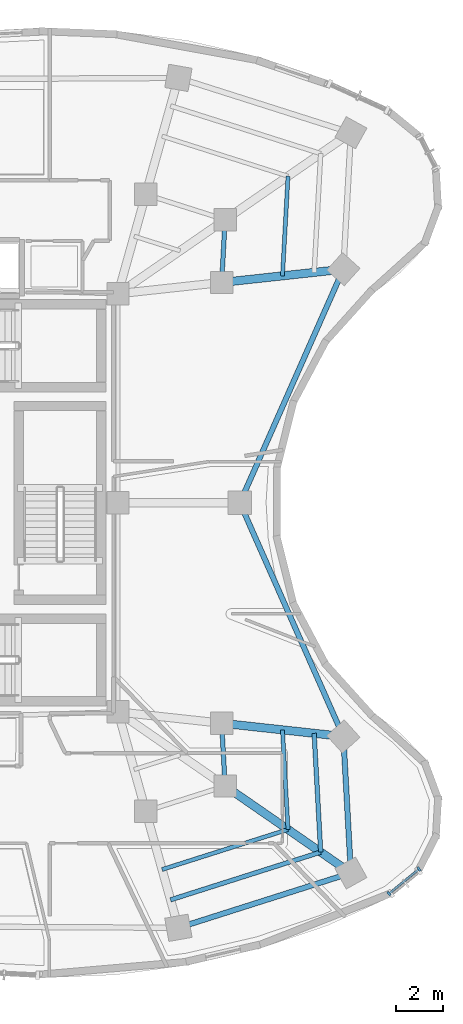
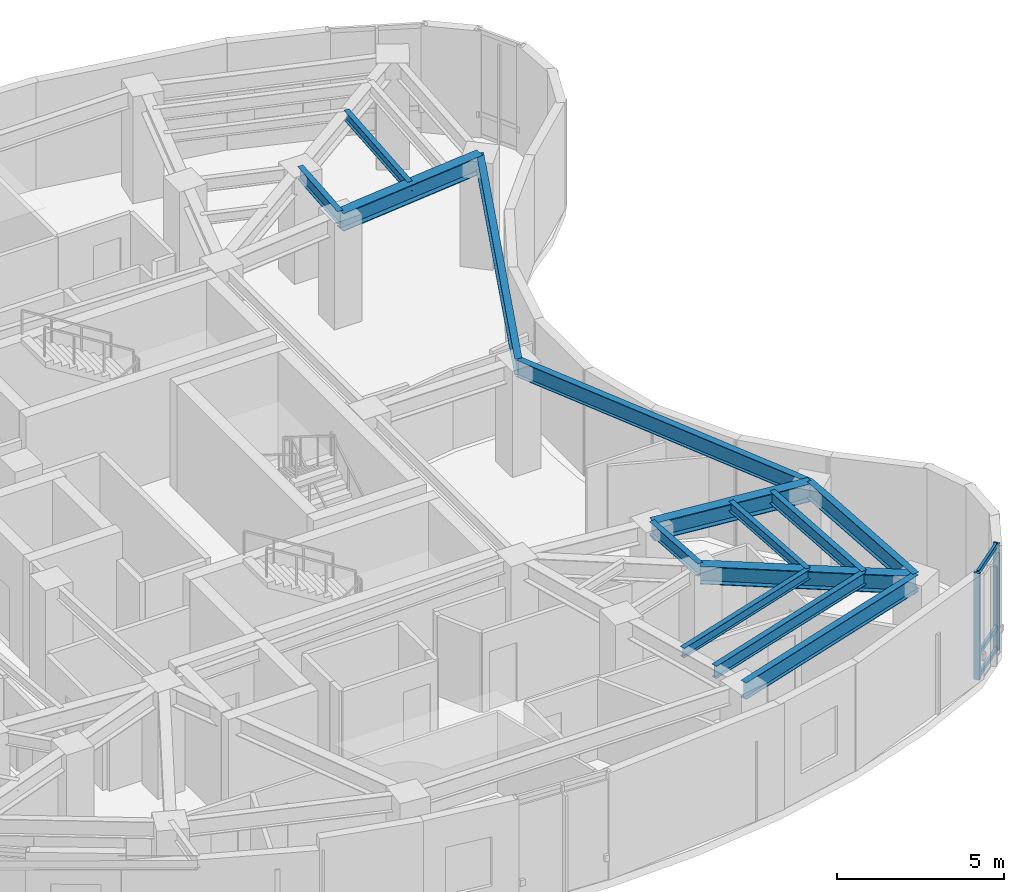
# One storey, part 4 of 13: 14 beams, 5 members, 1 element without a shape of its own.
"""IFC4 building model written with IfcOpenShell, lengths in metres."""

from ifc_helpers import new_model, si_unit, direction, frame, origin, origin_2d, place, context, subcontext, project, spatial, rectangle, i_section, extrude, material, layer, layer_set, material_profile, profile_set, type_object, element, aggregate, save


model = new_model("IFC4")

# Units and contexts
model_context = context("Model", 3, precision=1e-05, world=origin(), true_north=direction((0.0, 1.0)))
body_context = subcontext(model_context, "Body", "Model", "MODEL_VIEW")
ifc_project = project(units=[si_unit("LENGTHUNIT", "METRE"), si_unit("AREAUNIT", "SQUARE_METRE"), si_unit("VOLUMEUNIT", "CUBIC_METRE"), si_unit("PLANEANGLEUNIT", "RADIAN"), si_unit("MASSUNIT", "GRAM", prefix="KILO")], contexts=[model_context])

# Site, building, storey
site_placement = place(None, origin())
site = spatial("IfcSite", under=ifc_project, at=site_placement, CompositionType="ELEMENT")
building_placement = place(site_placement, origin())
building = spatial("IfcBuilding", under=site, at=building_placement, Name="Korentha Bioscience Tower", CompositionType="ELEMENT")
storey_placement = place(building_placement, frame((0.0, 0.0, 200.39990234375)))
storey = spatial("IfcBuildingStorey", under=building, at=storey_placement, Name="L46", CompositionType="ELEMENT", Elevation=200.39990234375)

# Beams
ifc_material_1 = material(Name="Steel S355", Category="steel")
ifc_material_profile_1 = material_profile(ifc_material_1, i_section(OverallWidth=0.18994140625, OverallDepth=0.45703125, WebThickness=0.009033203125, FlangeThickness=0.014404296875, at=origin_2d()), Name="Steel S355")
ifc_profile_set_1 = profile_set([ifc_material_profile_1], Name="Steel S355 (MB-460)")
beam_type_1 = type_object("IfcBeamType", Name="Mid-Ring Tie Girder W460x74", PredefinedType="BEAM", material=ifc_profile_set_1)
for number, where, z_axis, x_axis, name in (
    (1, (42.084228515625, 15.014404296875, 3.671630859375), (-0.055124579287, 0.998479484395, 0.0), (-0.998479484395, -0.055124579287, 0.0), "L46 Mid-Ring Tie Girder 13"),
    (2, (41.9375, 36.327880859375, 3.671630859375), (0.055124579287, 0.998479484395, 0.0), (-0.998479484395, 0.055124579287, 0.0), "L46 Mid-Ring Tie Girder 16"),
):
    element("IfcBeam", number, at=place(storey_placement, frame(where, z_axis=z_axis, x_axis=x_axis)), inside=storey, type_object=beam_type_1, Name=name, PredefinedType="BEAM", context=body_context, shape_type="SweptSolid", body=[
        extrude(i_section(OverallWidth=0.18994140625, OverallDepth=0.45703125, WebThickness=0.009033203125, FlangeThickness=0.014404296875, at=origin_2d()), origin(), (0.0, 0.0, 1.0), 2.661865234375),
    ])

# Curtain wall, members
ifc_material_2 = material(Name="Thermally Broken Aluminium Frame", Category="aluminium")
ifc_layer = layer(ifc_material_2, 0.219970703125, Name="Thermally Broken Aluminium Frame")
ifc_layer_set = layer_set([ifc_layer], Name="Thermally Broken Aluminium Frame (CW-T2)")
curtain_wall_type = type_object("IfcCurtainWallType", Name="Solar-Screened Lab Unitised Curtain Wall CW-T2", PredefinedType="USERDEFINED", material=ifc_layer_set)
curtain_wall_placement = place(storey_placement, origin())
curtain_wall = element("IfcCurtainWall", 3, at=curtain_wall_placement, inside=storey, type_object=curtain_wall_type, Name="L46 Curtain Wall 37", ObjectType="UNITISED", PredefinedType="USERDEFINED")
ifc_material_3 = material(Name="Anodised Aluminium 6063-T6", Category="aluminium")
ifc_material_profile_2 = material_profile(ifc_material_3, rectangle(XDim=0.090087890625, YDim=0.199951171875, at=origin_2d()), Name="Anodised Aluminium 6063-T6")
ifc_profile_set_2 = profile_set([ifc_material_profile_2], Name="Anodised Aluminium 6063-T6 (CW-MUL)")
member_type_1 = type_object("IfcMemberType", Name="Mullion RECT 90x200", PredefinedType="MULLION", material=ifc_profile_set_2)
member_1_placement = place(storey_placement, frame((49.01806640625, 10.45751953125, 0.0), z_axis=(0.0, 0.0, 1.0), x_axis=(0.774088224596, 0.633077736571, 0.0)))
member_1 = element("IfcMember", 4, at=member_1_placement, type_object=member_type_1, Name="CW-L46-37 Mullion 1", PredefinedType="MULLION", context=body_context, shape_type="SweptSolid", body=[
    extrude(rectangle(XDim=0.090087890625, YDim=0.199951171875, at=origin_2d()), origin(), (0.0, 0.0, 1.0), 3.900146484375),
])
member_2_placement = place(storey_placement, frame((50.291748046875, 11.4990234375, 0.0), z_axis=(0.0, 0.0, 1.0), x_axis=(0.774088224596, 0.633077736571, 0.0)))
member_2 = element("IfcMember", 5, at=member_2_placement, type_object=member_type_1, Name="CW-L46-37 Mullion 2", PredefinedType="MULLION", context=body_context, shape_type="SweptSolid", body=[
    extrude(rectangle(XDim=0.090087890625, YDim=0.199951171875, at=origin_2d()), origin(), (0.0, 0.0, 1.0), 3.900146484375),
])

# Beams
ifc_material_profile_3 = material_profile(ifc_material_1, i_section(OverallWidth=0.22802734375, OverallDepth=0.60791015625, WebThickness=0.01123046875, FlangeThickness=0.017333984375, at=origin_2d()), Name="Steel S355")
ifc_profile_set_3 = profile_set([ifc_material_profile_3], Name="Steel S355 (SB-610)")
beam_type_2 = type_object("IfcBeamType", Name="Perimeter Ring Spandrel Girder W610x113", PredefinedType="SPANDREL", material=ifc_profile_set_3)
beam_1_placement = place(storey_placement, frame((40.106689453125, 9.012939453125, 3.59619140625), z_axis=(0.953001929023, 0.30296422772, 0.0), x_axis=(-0.30296422772, 0.953001929023, 0.0)))
element("IfcBeam", 6, at=beam_1_placement, inside=storey, type_object=beam_type_2, Name="L46 Perimeter Spandrel Girder 12", PredefinedType="SPANDREL", context=body_context, shape_type="SweptSolid", body=[
    extrude(i_section(OverallWidth=0.22802734375, OverallDepth=0.60791015625, WebThickness=0.01123046875, FlangeThickness=0.017333984375, at=origin_2d()), origin(), (0.0, 0.0, 1.0), 7.660400390625),
])
beam_2_placement = place(storey_placement, frame((47.406982421875, 11.333740234375, 3.59619140625), z_axis=(-0.055107780824, 0.998480411672, 0.0), x_axis=(-0.998480411672, -0.055107780824, 0.0)))
element("IfcBeam", 7, at=beam_2_placement, inside=storey, type_object=beam_type_2, Name="L46 Perimeter Spandrel Girder 13", PredefinedType="SPANDREL", context=body_context, shape_type="SweptSolid", body=[
    extrude(i_section(OverallWidth=0.22802734375, OverallDepth=0.60791015625, WebThickness=0.01123046875, FlangeThickness=0.017333984375, at=origin_2d()), origin(), (0.0, 0.0, 1.0), 5.785888671875),
])
for number, where, z_axis, x_axis, name in (
    (8, (47.088134765625, 17.11083984375, 3.59619140625), (-0.40490027623, 0.914360851256, 0.0), (-0.914360851256, -0.40490027623, 0.0), "L46 Perimeter Spandrel Girder 14"),
    (9, (42.708984375, 27.0, 3.59619140625), (0.40490027623, 0.914360851256, 0.0), (-0.914360851256, 0.40490027623, 0.0), "L46 Perimeter Spandrel Girder 15"),
):
    element("IfcBeam", number, at=place(storey_placement, frame(where, z_axis=z_axis, x_axis=x_axis)), inside=storey, type_object=beam_type_2, Name=name, PredefinedType="SPANDREL", context=body_context, shape_type="SweptSolid", body=[
        extrude(i_section(OverallWidth=0.22802734375, OverallDepth=0.60791015625, WebThickness=0.01123046875, FlangeThickness=0.017333984375, at=origin_2d()), origin(), (0.0, 0.0, 1.0), 10.8154296875),
    ])
ifc_material_profile_4 = material_profile(ifc_material_1, i_section(OverallWidth=0.18994140625, OverallDepth=0.45703125, WebThickness=0.009033203125, FlangeThickness=0.014404296875, at=origin_2d()), Name="Steel S355")
ifc_profile_set_4 = profile_set([ifc_material_profile_4], Name="Steel S355 (RB-460)")
beam_type_3 = type_object("IfcBeamType", Name="Radial Laboratory Beam W460x74", PredefinedType="BEAM", material=ifc_profile_set_4)
beam_3_placement = place(storey_placement, frame((39.775390625, 10.197265625, 3.671630859375), z_axis=(0.953010382505, 0.302937635229, 0.0), x_axis=(-0.302937635229, 0.953010382505, 0.0)))
element("IfcBeam", 10, at=beam_3_placement, inside=storey, type_object=beam_type_3, Name="L46 Secondary Floor Beam JSTO-12", PredefinedType="BEAM", context=body_context, shape_type="SweptSolid", body=[
    extrude(i_section(OverallWidth=0.18994140625, OverallDepth=0.45703125, WebThickness=0.009033203125, FlangeThickness=0.014404296875, at=origin_2d()), origin(), (0.0, 0.0, 1.0), 6.667236328125),
])
beam_4_placement = place(storey_placement, frame((46.12939453125, 12.217041015625, 3.671630859375), z_axis=(-0.055069967357, 0.998482497941, 0.0), x_axis=(-0.998482497941, -0.055069967357, 0.0)))
element("IfcBeam", 11, at=beam_4_placement, inside=storey, type_object=beam_type_3, Name="L46 Secondary Floor Beam JSTO-13", PredefinedType="BEAM", context=body_context, shape_type="SweptSolid", body=[
    extrude(i_section(OverallWidth=0.18994140625, OverallDepth=0.45703125, WebThickness=0.009033203125, FlangeThickness=0.014404296875, at=origin_2d()), origin(), (0.0, 0.0, 1.0), 5.0361328125),
])
ifc_material_profile_5 = material_profile(ifc_material_1, i_section(OverallWidth=0.35009765625, OverallDepth=0.64990234375, WebThickness=0.01611328125, FlangeThickness=0.02490234375, at=origin_2d()), Name="Steel S355")
ifc_profile_set_5 = profile_set([ifc_material_profile_5], Name="Steel S355 (RB-650)")
beam_type_4 = type_object("IfcBeamType", Name="Radial Laboratory Girder CVS 650x208", PredefinedType="BEAM", material=ifc_profile_set_5)
beam_5_placement = place(storey_placement, frame((42.084228515625, 15.014404296875, 3.5751953125), z_axis=(0.822504439948, -0.568758688958, 0.0), x_axis=(0.568758688958, 0.822504439948, 0.0)))
element("IfcBeam", 12, at=beam_5_placement, inside=storey, type_object=beam_type_4, Name="L46 Outer Radial Girder 13", PredefinedType="BEAM", context=body_context, shape_type="SweptSolid", body=[
    extrude(i_section(OverallWidth=0.35009765625, OverallDepth=0.64990234375, WebThickness=0.01611328125, FlangeThickness=0.02490234375, at=origin_2d()), origin(), (0.0, 0.0, 1.0), 6.471435546875),
])
for number, where, z_axis, x_axis, name in (
    (13, (41.9375, 17.672119140625, 3.5751953125), (0.994114823739, -0.108331515371, 0.0), (0.108331515371, 0.994114823739, 0.0), "L46 Outer Radial Girder 14"),
    (14, (41.9375, 36.327880859375, 3.5751953125), (0.994114823739, 0.108331515371, 0.0), (-0.108331515371, 0.994114823739, 0.0), "L46 Outer Radial Girder 16"),
):
    element("IfcBeam", number, at=place(storey_placement, frame(where, z_axis=z_axis, x_axis=x_axis)), inside=storey, type_object=beam_type_4, Name=name, PredefinedType="BEAM", context=body_context, shape_type="SweptSolid", body=[
        extrude(i_section(OverallWidth=0.35009765625, OverallDepth=0.64990234375, WebThickness=0.01611328125, FlangeThickness=0.02490234375, at=origin_2d()), origin(), (0.0, 0.0, 1.0), 5.18115234375),
    ])
ifc_material_profile_6 = material_profile(ifc_material_1, i_section(OverallWidth=0.1708984375, OverallDepth=0.35498046875, WebThickness=0.007080078125, FlangeThickness=0.01171875, at=origin_2d()), Name="Steel S355")
ifc_profile_set_6 = profile_set([ifc_material_profile_6], Name="Steel S355 (JB-360)")
beam_type_5 = type_object("IfcBeamType", Name="Secondary Laboratory Joist W360x51", PredefinedType="JOIST", material=ifc_profile_set_6)
beam_6_placement = place(storey_placement, frame((39.41650390625, 11.47998046875, 3.72265625), z_axis=(0.953004875728, 0.302954958433, 0.0), x_axis=(-0.302954958433, 0.953004875728, 0.0)))
element("IfcBeam", 15, at=beam_6_placement, inside=storey, type_object=beam_type_5, Name="L46 Secondary Floor Beam JST-12", PredefinedType="JOIST", context=body_context, shape_type="SweptSolid", body=[
    extrude(i_section(OverallWidth=0.1708984375, OverallDepth=0.35498046875, WebThickness=0.007080078125, FlangeThickness=0.01171875, at=origin_2d()), origin(), (0.0, 0.0, 1.0), 5.591796875),
])
for number, where, z_axis, x_axis, name in (
    (16, (44.74560546875, 13.174072265625, 3.72265625), (-0.05514347763, 0.998478440866, 0.0), (-0.998478440866, -0.05514347763, 0.0), "L46 Secondary Floor Beam JST-13"),
    (17, (44.5126953125, 36.608642578125, 3.72265625), (0.05514347763, 0.998478440866, 0.0), (-0.998478440866, 0.05514347763, 0.0), "L46 Secondary Floor Beam JST-16"),
):
    element("IfcBeam", number, at=place(storey_placement, frame(where, z_axis=z_axis, x_axis=x_axis)), inside=storey, type_object=beam_type_5, Name=name, PredefinedType="JOIST", context=body_context, shape_type="SweptSolid", body=[
        extrude(i_section(OverallWidth=0.1708984375, OverallDepth=0.35498046875, WebThickness=0.007080078125, FlangeThickness=0.01171875, at=origin_2d()), origin(), (0.0, 0.0, 1.0), 4.2236328125),
    ])

# Member
ifc_material_profile_7 = material_profile(ifc_material_3, rectangle(XDim=0.090087890625, YDim=0.159912109375, at=origin_2d()), Name="Anodised Aluminium 6063-T6")
ifc_profile_set_7 = profile_set([ifc_material_profile_7], Name="Anodised Aluminium 6063-T6 (CW-TRN)")
member_type_2 = type_object("IfcMemberType", Name="Transom RECT 90x160", PredefinedType="USERDEFINED", material=ifc_profile_set_7)
member_3_placement = place(storey_placement, frame((49.052978515625, 10.48583984375, 0.045166015625), z_axis=(0.77406919377, 0.633101005572, 0.0), x_axis=(-0.633101005572, 0.77406919377, 0.0)))
member_3 = element("IfcMember", 18, at=member_3_placement, type_object=member_type_2, Name="CW-L46-37 Bay 1 Transom 1", ObjectType="TRANSOM", PredefinedType="USERDEFINED", context=body_context, shape_type="SweptSolid", body=[
    extrude(rectangle(XDim=0.090087890625, YDim=0.159912109375, at=origin_2d()), origin(), (0.0, 0.0, 1.0), 1.55517578125),
])

member_4_placement = place(storey_placement, frame((49.052978515625, 10.48583984375, 0.85009765625), z_axis=(0.77406919377, 0.633101005572, 0.0), x_axis=(-0.633101005572, 0.77406919377, 0.0)))
member_4 = element("IfcMember", 19, at=member_4_placement, type_object=member_type_2, Name="CW-L46-37 Bay 1 Transom 2", ObjectType="TRANSOM", PredefinedType="USERDEFINED", context=body_context, shape_type="SweptSolid", body=[
    extrude(rectangle(XDim=0.090087890625, YDim=0.159912109375, at=origin_2d()), origin(), (0.0, 0.0, 1.0), 1.55517578125),
])

member_5_placement = place(storey_placement, frame((49.052978515625, 10.48583984375, 3.85498046875), z_axis=(0.77406919377, 0.633101005572, 0.0), x_axis=(-0.633101005572, 0.77406919377, 0.0)))
member_5 = element("IfcMember", 20, at=member_5_placement, type_object=member_type_2, Name="CW-L46-37 Bay 1 Transom 3", ObjectType="TRANSOM", PredefinedType="USERDEFINED", context=body_context, shape_type="SweptSolid", body=[
    extrude(rectangle(XDim=0.090087890625, YDim=0.159912109375, at=origin_2d()), origin(), (0.0, 0.0, 1.0), 1.55517578125),
])

aggregate(curtain_wall, [member_1, member_2, member_3, member_4, member_5])

save(model, "model.ifc")
